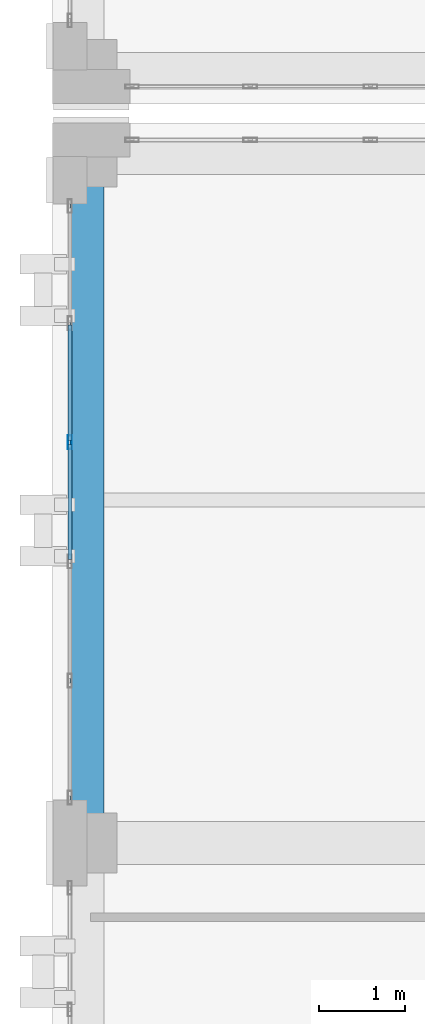
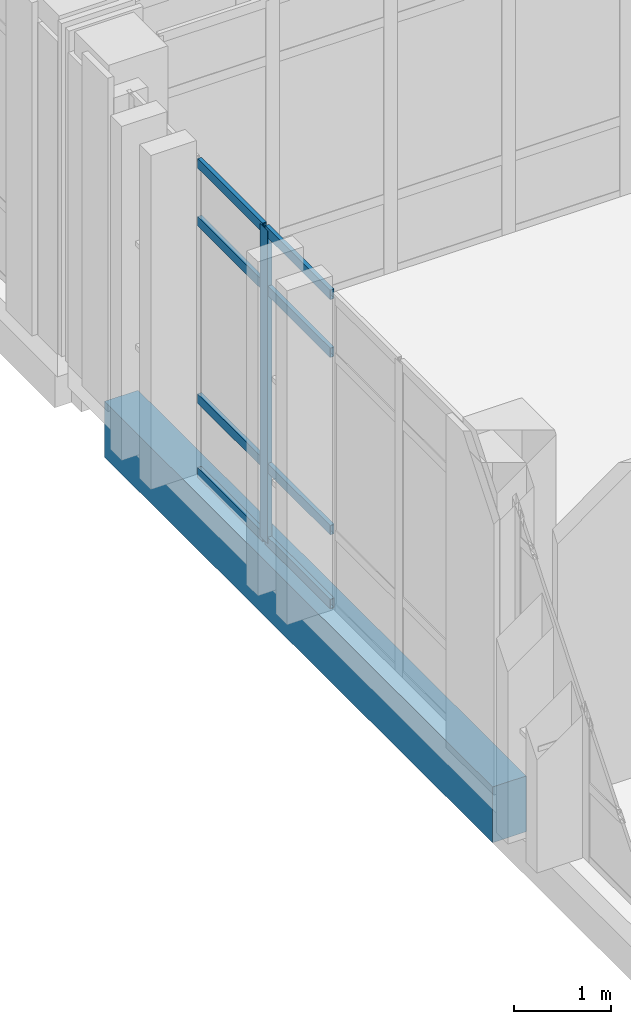
# One storey, part 73 of 158: 9 members, 1 beam, 1 element without a shape of its own.
"""IFC4 building model written with IfcOpenShell, lengths in metres."""

from ifc_helpers import new_model, si_unit, direction, frame, origin, origin_2d, place, context, subcontext, project, spatial, rectangle, hollow_rectangle, extrude, material, layer, layer_set, material_profile, profile_set, type_object, element, aggregate, save


model = new_model("IFC4")

# Units and contexts
model_context = context("Model", 3, precision=1e-05, world=origin(), true_north=direction((0.0, 1.0)))
body_context = subcontext(model_context, "Body", "Model", "MODEL_VIEW")
ifc_project = project(units=[si_unit("LENGTHUNIT", "METRE"), si_unit("AREAUNIT", "SQUARE_METRE"), si_unit("VOLUMEUNIT", "CUBIC_METRE"), si_unit("PLANEANGLEUNIT", "RADIAN"), si_unit("MASSUNIT", "GRAM", prefix="KILO")], contexts=[model_context])

# Site, building, storey
site_placement = place(None, origin())
site = spatial("IfcSite", under=ifc_project, at=site_placement, CompositionType="ELEMENT")
building_placement = place(site_placement, origin())
building = spatial("IfcBuilding", under=site, at=building_placement, Name="Qalavern Law Courts", CompositionType="ELEMENT")
storey_placement = place(building_placement, frame((0.0, 0.0, 18.60009765625)))
storey = spatial("IfcBuildingStorey", under=building, at=storey_placement, Name="L04", CompositionType="ELEMENT", Elevation=18.60009765625)

# Curtain wall, members
ifc_material_1 = material(Name="Anodised aluminium and insulated glazing", Category="aluminium")
ifc_layer = layer(ifc_material_1, 0.159912109375)
ifc_layer_set = layer_set([ifc_layer], Name="Anodised aluminium and insulated glazing")
curtain_wall_type = type_object("IfcCurtainWallType", Name="ENV-CW-CHAMB", PredefinedType="USERDEFINED", material=ifc_layer_set)
curtain_wall_placement = place(storey_placement, origin())
curtain_wall = element("IfcCurtainWall", 1, at=curtain_wall_placement, inside=storey, type_object=curtain_wall_type, Name="V3 unitised curtain wall L04 west 1", ObjectType="UNITISED CURTAIN WALL", PredefinedType="USERDEFINED")
ifc_material_2 = material(Name="Anodised aluminium", Category="aluminium")
ifc_material_profile_1 = material_profile(ifc_material_2, hollow_rectangle(XDim=0.048095703125, YDim=0.159912109375, WallThickness=0.00390625, at=origin_2d()), Name="ALU MULLION 48x160")
ifc_profile_set_1 = profile_set([ifc_material_profile_1], Name="Anodised aluminium")
member_type_1 = type_object("IfcMemberType", Name="ENV-CWM-48x160", PredefinedType="MULLION", material=ifc_profile_set_1)
member_1_placement = place(storey_placement, frame((2.199951171875, 92.260986328125, 0.0), z_axis=(0.0, 0.0, 1.0), x_axis=(1.0, 0.0, 0.0)))
member_1 = element("IfcMember", 2, at=member_1_placement, type_object=member_type_1, Name="CW-04 mullion 3", PredefinedType="MULLION", context=body_context, shape_type="SweptSolid", body=[
    extrude(hollow_rectangle(XDim=0.048095703125, YDim=0.159912109375, WallThickness=0.00390625, at=origin_2d()), origin(), (0.0, 0.0, 1.0), 3.9248046875),
])
ifc_material_profile_2 = material_profile(ifc_material_2, hollow_rectangle(XDim=0.048095703125, YDim=0.1201171875, WallThickness=0.00390625, at=origin_2d()), Name="ALU TRANSOM 48x120")
ifc_profile_set_2 = profile_set([ifc_material_profile_2], Name="Anodised aluminium")
member_type_2 = type_object("IfcMemberType", Name="ENV-CWT-48x120", PredefinedType="USERDEFINED", material=ifc_profile_set_2)
member_2_placement = place(storey_placement, frame((2.199951171875, 93.6240234375, 0.02392578125), z_axis=(0.0, -1.0, 0.0), x_axis=(1.0, 0.0, 0.0)))
member_2 = element("IfcMember", 3, at=member_2_placement, type_object=member_type_2, Name="CW-04 transom 2.1", ObjectType="TRANSOM", PredefinedType="USERDEFINED", context=body_context, shape_type="SweptSolid", body=[
    extrude(hollow_rectangle(XDim=0.048095703125, YDim=0.1201171875, WallThickness=0.00390625, at=origin_2d()), origin(), (0.0, 0.0, 1.0), 1.339111328125),
])
member_3_placement = place(storey_placement, frame((2.199951171875, 93.6240234375, 0.949951171875), z_axis=(0.0, -1.0, 0.0), x_axis=(1.0, 0.0, 0.0)))
member_3 = element("IfcMember", 4, at=member_3_placement, type_object=member_type_2, Name="CW-04 transom 2.2", ObjectType="TRANSOM", PredefinedType="USERDEFINED", context=body_context, shape_type="SweptSolid", body=[
    extrude(hollow_rectangle(XDim=0.048095703125, YDim=0.1201171875, WallThickness=0.00390625, at=origin_2d()), origin(), (0.0, 0.0, 1.0), 1.339111328125),
])
member_4_placement = place(storey_placement, frame((2.199951171875, 93.6240234375, 3.1748046875), z_axis=(0.0, -1.0, 0.0), x_axis=(1.0, 0.0, 0.0)))
member_4 = element("IfcMember", 5, at=member_4_placement, type_object=member_type_2, Name="CW-04 transom 2.3", ObjectType="TRANSOM", PredefinedType="USERDEFINED", context=body_context, shape_type="SweptSolid", body=[
    extrude(hollow_rectangle(XDim=0.048095703125, YDim=0.1201171875, WallThickness=0.00390625, at=origin_2d()), origin(), (0.0, 0.0, 1.0), 1.339111328125),
])
member_5_placement = place(storey_placement, frame((2.199951171875, 93.6240234375, 3.90087890625), z_axis=(0.0, -1.0, 0.0), x_axis=(1.0, 0.0, 0.0)))
member_5 = element("IfcMember", 6, at=member_5_placement, type_object=member_type_2, Name="CW-04 transom 2.4", ObjectType="TRANSOM", PredefinedType="USERDEFINED", context=body_context, shape_type="SweptSolid", body=[
    extrude(hollow_rectangle(XDim=0.048095703125, YDim=0.1201171875, WallThickness=0.00390625, at=origin_2d()), origin(), (0.0, 0.0, 1.0), 1.339111328125),
])
member_6_placement = place(storey_placement, frame((2.199951171875, 92.237060546875, 0.02392578125), z_axis=(0.0, -1.0, 0.0), x_axis=(1.0, 0.0, 0.0)))
member_6 = element("IfcMember", 7, at=member_6_placement, type_object=member_type_2, Name="CW-04 transom 3.1", ObjectType="TRANSOM", PredefinedType="USERDEFINED", context=body_context, shape_type="SweptSolid", body=[
    extrude(hollow_rectangle(XDim=0.048095703125, YDim=0.1201171875, WallThickness=0.00390625, at=origin_2d()), origin(), (0.0, 0.0, 1.0), 1.339111328125),
])
member_7_placement = place(storey_placement, frame((2.199951171875, 92.237060546875, 0.949951171875), z_axis=(0.0, -1.0, 0.0), x_axis=(1.0, 0.0, 0.0)))
member_7 = element("IfcMember", 8, at=member_7_placement, type_object=member_type_2, Name="CW-04 transom 3.2", ObjectType="TRANSOM", PredefinedType="USERDEFINED", context=body_context, shape_type="SweptSolid", body=[
    extrude(hollow_rectangle(XDim=0.048095703125, YDim=0.1201171875, WallThickness=0.00390625, at=origin_2d()), origin(), (0.0, 0.0, 1.0), 1.339111328125),
])
member_8_placement = place(storey_placement, frame((2.199951171875, 92.237060546875, 3.1748046875), z_axis=(0.0, -1.0, 0.0), x_axis=(1.0, 0.0, 0.0)))
member_8 = element("IfcMember", 9, at=member_8_placement, type_object=member_type_2, Name="CW-04 transom 3.3", ObjectType="TRANSOM", PredefinedType="USERDEFINED", context=body_context, shape_type="SweptSolid", body=[
    extrude(hollow_rectangle(XDim=0.048095703125, YDim=0.1201171875, WallThickness=0.00390625, at=origin_2d()), origin(), (0.0, 0.0, 1.0), 1.339111328125),
])
member_9_placement = place(storey_placement, frame((2.199951171875, 92.237060546875, 3.90087890625), z_axis=(0.0, -1.0, 0.0), x_axis=(1.0, 0.0, 0.0)))
member_9 = element("IfcMember", 10, at=member_9_placement, type_object=member_type_2, Name="CW-04 transom 3.4", ObjectType="TRANSOM", PredefinedType="USERDEFINED", context=body_context, shape_type="SweptSolid", body=[
    extrude(hollow_rectangle(XDim=0.048095703125, YDim=0.1201171875, WallThickness=0.00390625, at=origin_2d()), origin(), (0.0, 0.0, 1.0), 1.339111328125),
])
aggregate(curtain_wall, [member_1, member_2, member_3, member_4, member_5, member_6, member_7, member_8, member_9])

# Beam
ifc_material_3 = material(Name="Concrete C40/50", Category="concrete")
ifc_material_profile_3 = material_profile(ifc_material_3, rectangle(XDim=0.39990234375, YDim=0.699951171875, at=origin_2d()), Name="RC 400x700")
ifc_profile_set_3 = profile_set([ifc_material_profile_3], Name="Concrete C40/50")
beam_type = type_object("IfcBeamType", Name="STR-SP-RC400x700", PredefinedType="SPANDREL", material=ifc_profile_set_3)
beam_placement = place(storey_placement, frame((2.39990234375, 87.60009765625, -0.630126953125), z_axis=(0.0, 1.0, 0.0), x_axis=(-1.0, 0.0, 0.0)))
element("IfcBeam", 11, at=beam_placement, inside=storey, type_object=beam_type, Name="V3 Y-beam 1-7 L04", PredefinedType="SPANDREL", context=body_context, shape_type="SweptSolid", body=[
    extrude(rectangle(XDim=0.39990234375, YDim=0.699951171875, at=origin_2d()), origin(), (0.0, 0.0, 1.0), 7.97998046875),
])

save(model, "model.ifc")
